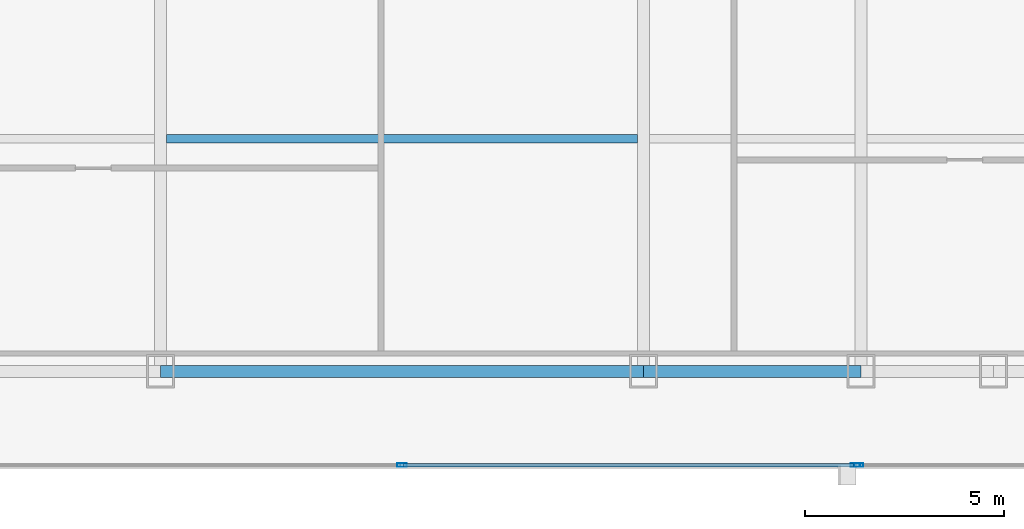
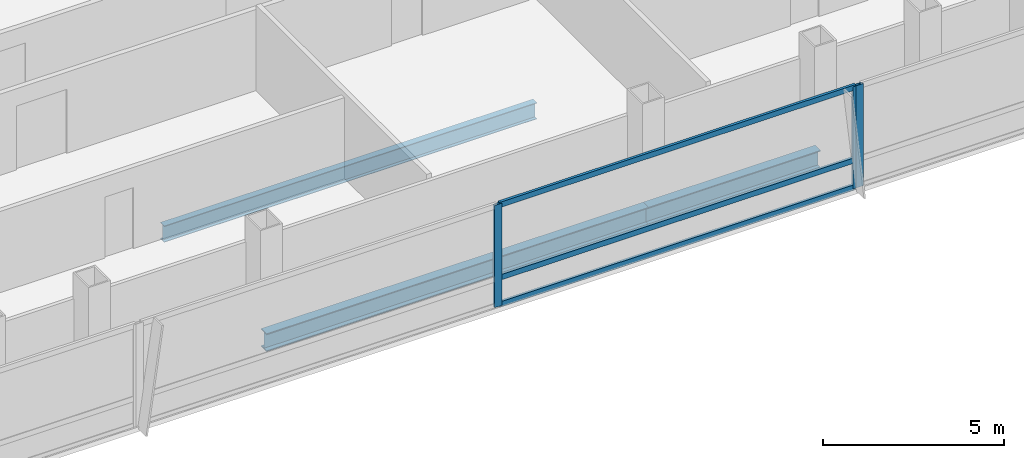
# One storey, part 13 of 31: 6 members, 3 beams, 2 elements without a shape of their own.
"""IFC4 building model written with IfcOpenShell, lengths in metres."""

from ifc_helpers import new_model, si_unit, direction, frame, origin, origin_2d, place, context, subcontext, project, spatial, hollow_rectangle, i_section, extrude, material, material_profile, profile_set, type_object, element, aggregate, save


model = new_model("IFC4")

# Units and contexts
model_context = context("Model", 3, precision=1e-05, world=origin(), true_north=direction((0.0, 1.0)))
body_context = subcontext(model_context, "Body", "Model", "MODEL_VIEW")
ifc_project = project(units=[si_unit("LENGTHUNIT", "METRE"), si_unit("AREAUNIT", "SQUARE_METRE"), si_unit("VOLUMEUNIT", "CUBIC_METRE"), si_unit("PLANEANGLEUNIT", "RADIAN"), si_unit("MASSUNIT", "GRAM", prefix="KILO")], contexts=[model_context])

# Site, building, storey
site_placement = place(None, origin())
site = spatial("IfcSite", under=ifc_project, at=site_placement, CompositionType="ELEMENT")
building_placement = place(site_placement, origin())
building = spatial("IfcBuilding", under=site, at=building_placement, Name="Khoronbel Lancet Exchange", CompositionType="ELEMENT")
storey_placement = place(building_placement, frame((0.0, 0.0, 121.800048828125)))
storey = spatial("IfcBuildingStorey", under=building, at=storey_placement, Name="L29", CompositionType="ELEMENT", Elevation=121.800048828125)

# Beams
ifc_material_1 = material(Name="Steel S355", Category="steel")
ifc_material_profile_1 = material_profile(ifc_material_1, i_section(OverallWidth=0.2099609375, OverallDepth=0.550048828125, WebThickness=0.010986328125, FlangeThickness=0.01708984375, at=origin_2d()), Name="IPE 550")
ifc_profile_set_1 = profile_set([ifc_material_profile_1], Name="Steel S355")
beam_type_1 = type_object("IfcBeamType", Name="BM-BJ2", PredefinedType="JOIST", material=ifc_profile_set_1)
beam_1_placement = place(storey_placement, frame((30.52490234375, 16.0, -0.43505859375), z_axis=(1.0, 0.0, 0.0), x_axis=(0.0, 1.0, 0.0)))
element("IfcBeam", 1, at=beam_1_placement, inside=storey, type_object=beam_type_1, Name="Level L29 secondary composite joist J03", PredefinedType="JOIST", context=body_context, shape_type="SweptSolid", body=[
    extrude(i_section(OverallWidth=0.2099609375, OverallDepth=0.550048828125, WebThickness=0.010986328125, FlangeThickness=0.01708984375, at=origin_2d()), origin(), (0.0, 0.0, 1.0), 11.85009765625),
])
ifc_material_profile_2 = material_profile(ifc_material_1, i_section(OverallWidth=0.300048828125, OverallDepth=0.60009765625, WebThickness=0.015380859375, FlangeThickness=0.030029296875, at=origin_2d()), Name="HEB 600")
ifc_profile_set_2 = profile_set([ifc_material_profile_2], Name="Steel S355")
beam_type_2 = type_object("IfcBeamType", Name="BM-BSP2", PredefinedType="SPANDREL", material=ifc_profile_set_2)
beam_2_placement = place(storey_placement, frame((30.375, 10.14990234375, -0.4599609375), z_axis=(1.0, 0.0, 0.0), x_axis=(0.0, 1.0, 0.0)))
element("IfcBeam", 2, at=beam_2_placement, inside=storey, type_object=beam_type_2, Name="Level L29 perimeter spandrel beam SP05", PredefinedType="SPANDREL", context=body_context, shape_type="SweptSolid", body=[
    extrude(i_section(OverallWidth=0.300048828125, OverallDepth=0.60009765625, WebThickness=0.015380859375, FlangeThickness=0.030029296875, at=origin_2d()), origin(), (0.0, 0.0, 1.0), 12.14990234375),
])
beam_3_placement = place(storey_placement, frame((42.52490234375, 10.14990234375, -0.4599609375), z_axis=(1.0, 0.0, 0.0), x_axis=(0.0, 1.0, 0.0)))
element("IfcBeam", 3, at=beam_3_placement, inside=storey, type_object=beam_type_2, Name="Level L29 perimeter spandrel beam SP06", PredefinedType="SPANDREL", context=body_context, shape_type="SweptSolid", body=[
    extrude(i_section(OverallWidth=0.300048828125, OverallDepth=0.60009765625, WebThickness=0.015380859375, FlangeThickness=0.030029296875, at=origin_2d()), origin(), (0.0, 0.0, 1.0), 5.47509765625),
])

# Curtain wall, members
ifc_material_2 = material(Name="Low-E Solar Control Insulating Glass", Category="glass")
curtain_wall_type = type_object("IfcCurtainWallType", Name="CW-2", PredefinedType="NOTDEFINED", material=ifc_material_2)
curtain_wall_1_placement = place(storey_placement, origin())
curtain_wall_1 = element("IfcCurtainWall", 4, at=curtain_wall_1_placement, inside=storey, type_object=curtain_wall_type, Name="Unitised curtain wall CW-L29-SCV", PredefinedType="NOTDEFINED")
ifc_material_3 = material(Name="Bronze-Anodised Aluminium 6063-T6", Category="aluminium")
ifc_material_profile_3 = material_profile(ifc_material_3, hollow_rectangle(XDim=0.0849609375, YDim=0.239990234375, WallThickness=0.006103515625, at=origin_2d()), Name="ALU MULLION 85x240")
ifc_profile_set_3 = profile_set([ifc_material_profile_3], Name="Bronze-Anodised Aluminium 6063-T6")
member_type_1 = type_object("IfcMemberType", Name="MEM-CWM1", PredefinedType="MULLION", material=ifc_profile_set_3)
member_1_placement = place(storey_placement, frame((36.449951171875, 7.7900390625, 0.0), z_axis=(0.0, 0.0, 1.0), x_axis=(0.0, 1.0, 0.0)))
member_1 = element("IfcMember", 5, at=member_1_placement, type_object=member_type_1, Name="CW2 mullion 2", PredefinedType="MULLION", context=body_context, shape_type="SweptSolid", body=[
    extrude(hollow_rectangle(XDim=0.0849609375, YDim=0.239990234375, WallThickness=0.006103515625, at=origin_2d()), origin(), (0.0, 0.0, 1.0), 3.43994140625),
])
member_2_placement = place(storey_placement, frame((47.857421875, 7.7900390625, 0.0), z_axis=(0.0, 0.0, 1.0), x_axis=(0.0, 1.0, 0.0)))
member_2 = element("IfcMember", 6, at=member_2_placement, type_object=member_type_1, Name="CW2 mullion 3", PredefinedType="MULLION", context=body_context, shape_type="SweptSolid", body=[
    extrude(hollow_rectangle(XDim=0.0849609375, YDim=0.239990234375, WallThickness=0.006103515625, at=origin_2d()), origin(), (0.0, 0.0, 1.0), 3.43994140625),
])

# Curtain wall, member
curtain_wall_2_placement = place(storey_placement, origin())
curtain_wall_2 = element("IfcCurtainWall", 7, at=curtain_wall_2_placement, inside=storey, type_object=curtain_wall_type, Name="Unitised curtain wall CW-L29-SEB", PredefinedType="NOTDEFINED")
member_3_placement = place(storey_placement, frame((47.9423828125, 7.7900390625, 0.0), z_axis=(0.0, 0.0, 1.0), x_axis=(0.0, 1.0, 0.0)))
member_3 = element("IfcMember", 8, at=member_3_placement, type_object=member_type_1, Name="CW2 mullion 1", PredefinedType="MULLION", context=body_context, shape_type="SweptSolid", body=[
    extrude(hollow_rectangle(XDim=0.0849609375, YDim=0.239990234375, WallThickness=0.006103515625, at=origin_2d()), origin(), (0.0, 0.0, 1.0), 3.43994140625),
])
aggregate(curtain_wall_2, [member_3])

# Member
ifc_material_profile_4 = material_profile(ifc_material_3, hollow_rectangle(XDim=0.0849609375, YDim=0.179931640625, WallThickness=0.0048828125, at=origin_2d()), Name="ALU TRANSOM 85x180")
ifc_profile_set_4 = profile_set([ifc_material_profile_4], Name="Bronze-Anodised Aluminium 6063-T6")
member_type_2 = type_object("IfcMemberType", Name="MEM-CWT1", PredefinedType="USERDEFINED", material=ifc_profile_set_4)
member_4_placement = place(storey_placement, frame((36.492431640625, 7.7900390625, 0.04248046875), z_axis=(1.0, 0.0, 0.0), x_axis=(0.0, 1.0, 0.0)))
member_4 = element("IfcMember", 9, at=member_4_placement, type_object=member_type_2, Name="CW2 transom 2.1", ObjectType="TRANSOM", PredefinedType="USERDEFINED", context=body_context, shape_type="SweptSolid", body=[
    extrude(hollow_rectangle(XDim=0.0849609375, YDim=0.179931640625, WallThickness=0.0048828125, at=origin_2d()), origin(), (0.0, 0.0, 1.0), 11.322509765625),
])

member_5_placement = place(storey_placement, frame((36.492431640625, 7.7900390625, 0.949951171875), z_axis=(1.0, 0.0, 0.0), x_axis=(0.0, 1.0, 0.0)))
member_5 = element("IfcMember", 10, at=member_5_placement, type_object=member_type_2, Name="CW2 transom 2.2", ObjectType="TRANSOM", PredefinedType="USERDEFINED", context=body_context, shape_type="SweptSolid", body=[
    extrude(hollow_rectangle(XDim=0.0849609375, YDim=0.179931640625, WallThickness=0.0048828125, at=origin_2d()), origin(), (0.0, 0.0, 1.0), 11.322509765625),
])

member_6_placement = place(storey_placement, frame((36.492431640625, 7.7900390625, 3.3974609375), z_axis=(1.0, 0.0, 0.0), x_axis=(0.0, 1.0, 0.0)))
member_6 = element("IfcMember", 11, at=member_6_placement, type_object=member_type_2, Name="CW2 transom 2.3", ObjectType="TRANSOM", PredefinedType="USERDEFINED", context=body_context, shape_type="SweptSolid", body=[
    extrude(hollow_rectangle(XDim=0.0849609375, YDim=0.179931640625, WallThickness=0.0048828125, at=origin_2d()), origin(), (0.0, 0.0, 1.0), 11.322509765625),
])

aggregate(curtain_wall_1, [member_1, member_2, member_4, member_5, member_6])

save(model, "model.ifc")
